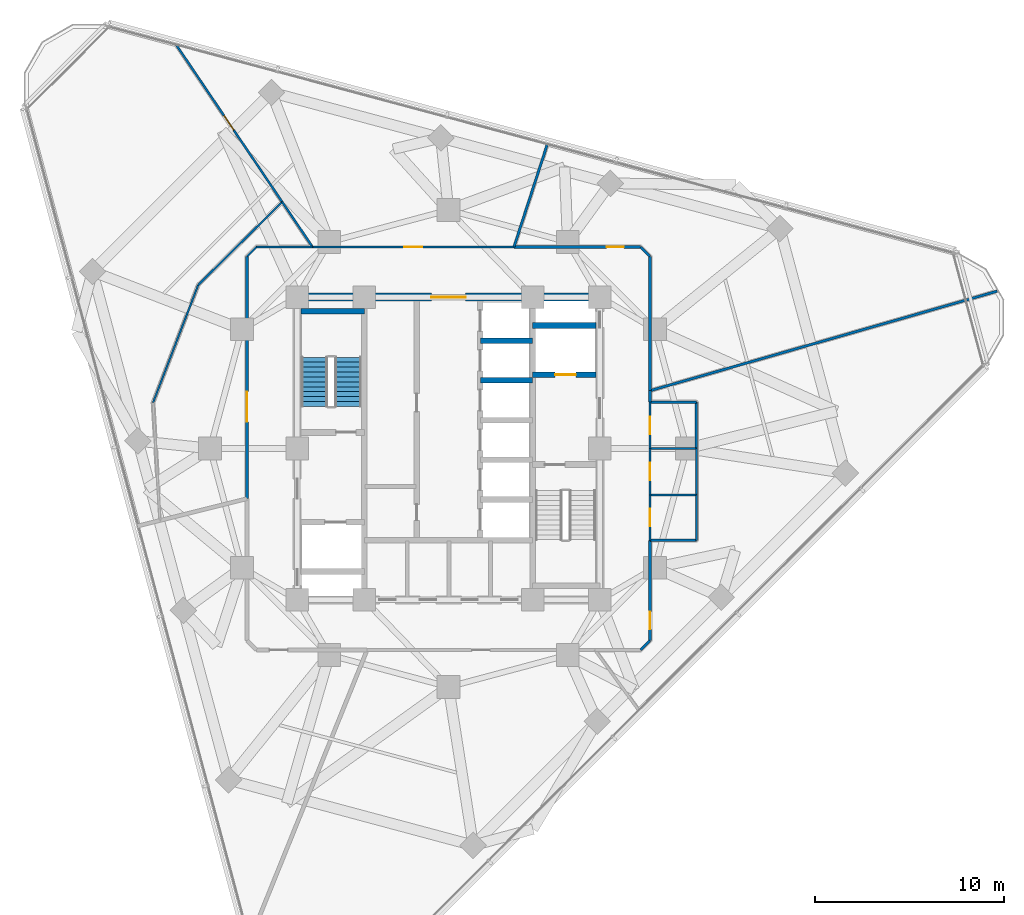
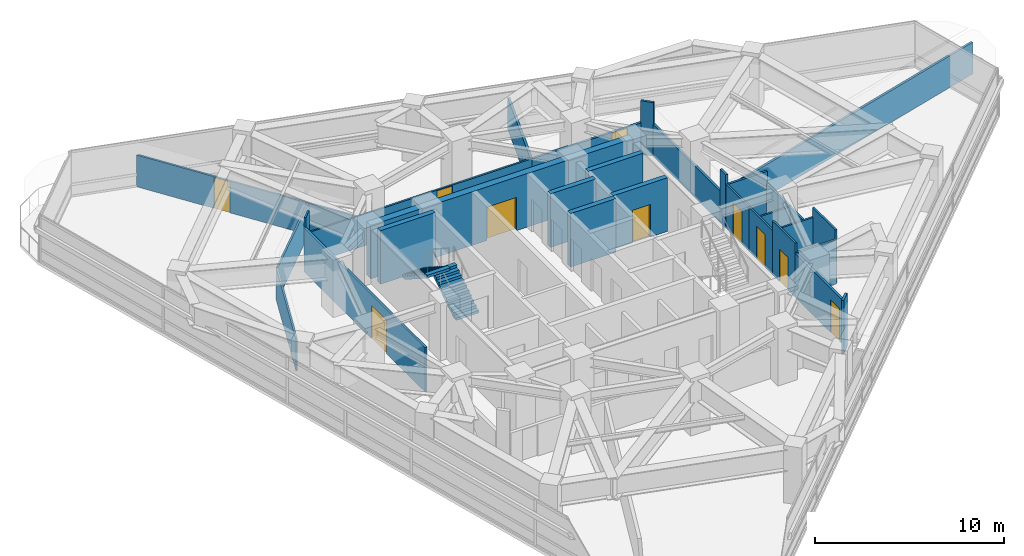
# One storey, part 9 of 15: 32 walls, 10 doors, 2 stair flights, 10 openings, 1 element without a shape of its own.
"""IFC4 building model written with IfcOpenShell, lengths in metres."""

from ifc_helpers import new_model, si_unit, direction, frame, frame_2d, origin, place, context, subcontext, project, spatial, polyline, rectangle, outline, extrude, material, layer, layer_set, type_object, element, fill, aggregate, save


model = new_model("IFC4")

# Units and contexts
model_context = context("Model", 3, precision=1e-05, world=origin(), true_north=direction((0.0, 1.0)))
body_context = subcontext(model_context, "Body", "Model", "MODEL_VIEW")
ifc_project = project(units=[si_unit("LENGTHUNIT", "METRE"), si_unit("AREAUNIT", "SQUARE_METRE"), si_unit("VOLUMEUNIT", "CUBIC_METRE"), si_unit("PLANEANGLEUNIT", "RADIAN"), si_unit("MASSUNIT", "GRAM", prefix="KILO")], contexts=[model_context])

# Site, building, storey
site_placement = place(None, origin())
site = spatial("IfcSite", under=ifc_project, at=site_placement, CompositionType="ELEMENT")
building_placement = place(site_placement, origin())
building = spatial("IfcBuilding", under=site, at=building_placement, Name="Terralouvre Media Tower", CompositionType="ELEMENT")
storey_placement = place(building_placement, frame((0.0, 0.0, 210.10009765625)))
storey = spatial("IfcBuildingStorey", under=building, at=storey_placement, Name="L54", CompositionType="ELEMENT", Elevation=210.10009765625)

# Wall
ifc_material_1 = material(Name="Concrete C50/60", Category="concrete")
ifc_layer_1 = layer(ifc_material_1, 0.300048828125, Name="Core Internal Shaft Wall CW-300")
ifc_layer_set_1 = layer_set([ifc_layer_1], Name="Concrete C50/60")
wall_type_1 = type_object("IfcWallType", Name="Core Internal Shaft Wall CW-300", PredefinedType="SHEAR", material=ifc_layer_set_1)
wall_1_placement = place(storey_placement, frame((-7.7900390625, 7.260009765625, 0.0), z_axis=(0.0, 0.0, 1.0), x_axis=(1.0, 0.0, 0.0)))
element("IfcWall", 1, at=wall_1_placement, inside=storey, type_object=wall_type_1, Name="L54 Core Shaft Wall ST1F", PredefinedType="SHEAR", context=body_context, shape_type="SweptSolid", body=[
    extrude(rectangle(XDim=3.340087890625, YDim=0.300048828125, at=frame_2d((1.669921875, 0.0))), origin(), (0.0, 0.0, 1.0), 3.4599609375),
])

# Wall, opening, door
wall_2_placement = place(storey_placement, frame((4.449951171875, 3.89990234375, 0.0), z_axis=(0.0, 0.0, 1.0), x_axis=(1.0, 0.0, 0.0)))
wall_2 = element("IfcWall", 2, at=wall_2_placement, inside=storey, type_object=wall_type_1, Name="L54 Core Shaft Wall FF2S", PredefinedType="SHEAR", context=body_context, shape_type="SweptSolid", body=[
    extrude(rectangle(XDim=3.340087890625, YDim=0.300048828125, at=frame_2d((1.669921875, 0.0))), origin(), (0.0, 0.0, 1.0), 3.4599609375),
])
opening_1_placement = place(wall_2_placement, frame((1.179931640625, 0.0, 0.0)))
opening_1 = element("IfcOpeningElement", 3, at=opening_1_placement, cuts=wall_2, Name="Opening LD-FF", PredefinedType="OPENING", context=body_context, shape_type="SweptSolid", body=[
    extrude(rectangle(XDim=1.10009765625, YDim=2.10009765625, at=frame_2d((0.550048828125, 1.050048828125))), frame((0.0, 0.159912109375, 0.0), z_axis=(0.0, -1.0, 0.0), x_axis=(1.0, 0.0, 0.0)), (0.0, 0.0, 1.0), 0.320068359375),
])
ifc_material_2 = material(Name="Stainless steel 316 handrail and balustrade", Category="steel")
door_type_1 = type_object("IfcDoorType", Name="Firefighting Lift Sliding Landing Door LD-FF", OperationType="SLIDING_TO_LEFT", PredefinedType="DOOR", material=ifc_material_2)
door_1_placement = place(opening_1_placement, origin())
door_1 = element("IfcDoor", 4, at=door_1_placement, inside=storey, type_object=door_type_1, Name="L54 Firefighting Lift FFL-02 Landing Door", OperationType="SLIDING_TO_LEFT", OverallHeight=2.10009765625, OverallWidth=1.10009765625, PredefinedType="DOOR", context=body_context, shape_type="SweptSolid", body=[
    extrude(rectangle(XDim=1.10009765625, YDim=2.10009765625, at=frame_2d((0.550048828125, 1.050048828125))), frame((0.0, 0.02490234375, 0.0), z_axis=(0.0, -1.0, 0.0), x_axis=(1.0, 0.0, 0.0)), (0.0, 0.0, 1.0), 0.050048828125),
])
fill(opening_1, door_1)

# Walls
wall_3_placement = place(storey_placement, frame((4.449951171875, 6.5, 0.0), z_axis=(0.0, 0.0, 1.0), x_axis=(1.0, 0.0, 0.0)))
element("IfcWall", 5, at=wall_3_placement, inside=storey, type_object=wall_type_1, Name="L54 Core Shaft Wall FF2N", PredefinedType="SHEAR", context=body_context, shape_type="SweptSolid", body=[
    extrude(rectangle(XDim=3.340087890625, YDim=0.300048828125, at=frame_2d((1.669921875, 0.0))), origin(), (0.0, 0.0, 1.0), 3.4599609375),
])
for number, where, z_axis, x_axis, name in (
    (6, (1.679931640625, 3.60009765625, 0.0), (0.0, 0.0, 1.0), (1.0, 0.0, 0.0), "L54 Core Shaft Wall PLMD1"),
    (7, (1.679931640625, 5.699951171875, 0.0), (0.0, 0.0, 1.0), (1.0, 0.0, 0.0), "L54 Core Shaft Wall PLMD2"),
):
    element("IfcWall", number, at=place(storey_placement, frame(where, z_axis=z_axis, x_axis=x_axis)), inside=storey, type_object=wall_type_1, Name=name, PredefinedType="SHEAR", context=body_context, shape_type="SweptSolid", body=[
        extrude(rectangle(XDim=2.77001953125, YDim=0.300048828125, at=frame_2d((1.385009765625, 0.0))), origin(), (0.0, 0.0, 1.0), 3.4599609375),
    ])

# Wall, opening, door
ifc_material_3 = material(Name="Concrete C60/75", Category="concrete")
ifc_layer_2 = layer(ifc_material_3, 0.419921875, Name="Core Reinforced Concrete Shear Wall CW-420")
ifc_layer_set_2 = layer_set([ifc_layer_2], Name="Concrete C60/75")
wall_type_2 = type_object("IfcWallType", Name="Core Reinforced Concrete Shear Wall CW-420", PredefinedType="SHEAR", material=ifc_layer_set_2)
wall_4_placement = place(storey_placement, frame((-8.0, 8.0, 0.0), z_axis=(0.0, 0.0, 1.0), x_axis=(1.0, 0.0, 0.0)))
wall_4 = element("IfcWall", 8, at=wall_4_placement, inside=storey, type_object=wall_type_2, Name="L54 N Core Shear Wall", PredefinedType="SHEAR", context=body_context, shape_type="SweptSolid", body=[
    extrude(rectangle(XDim=16.0, YDim=0.419921875, at=frame_2d((8.0, 0.0))), origin(), (0.0, 0.0, 1.0), 3.4599609375),
])
opening_2_placement = place(wall_4_placement, frame((7.10009765625, 0.0, 0.0)))
opening_2 = element("IfcOpeningElement", 9, at=opening_2_placement, cuts=wall_4, Name="Opening FD-03", PredefinedType="OPENING", context=body_context, shape_type="SweptSolid", body=[
    extrude(rectangle(XDim=1.800048828125, YDim=2.14990234375, at=frame_2d((0.89990234375, 1.074951171875))), frame((0.0, 0.219970703125, 0.0), z_axis=(0.0, -1.0, 0.0), x_axis=(1.0, 0.0, 0.0)), (0.0, 0.0, 1.0), 0.43994140625),
])
ifc_material_4 = material(Name="Galvanised steel fire-resisting leaf", Category="steel")
door_type_2 = type_object("IfcDoorType", Name="Corridor Smoke-Control Double Door FD-03", OperationType="DOUBLE_DOOR_SINGLE_SWING", PredefinedType="DOOR", material=ifc_material_4)
door_2_placement = place(opening_2_placement, origin())
door_2 = element("IfcDoor", 10, at=door_2_placement, inside=storey, type_object=door_type_2, Name="L54 Central Lift Lobby Portal Door", OperationType="DOUBLE_DOOR_SINGLE_SWING", OverallHeight=2.14990234375, OverallWidth=1.800048828125, PredefinedType="DOOR", context=body_context, shape_type="SweptSolid", body=[
    extrude(rectangle(XDim=1.800048828125, YDim=2.14990234375, at=frame_2d((0.89990234375, 1.074951171875))), frame((0.0, 0.02490234375, 0.0), z_axis=(0.0, -1.0, 0.0), x_axis=(1.0, 0.0, 0.0)), (0.0, 0.0, 1.0), 0.050048828125),
])
fill(opening_2, door_2)

# Walls
ifc_material_5 = material(Name="Low-iron laminated double glazing with solar-control coating", Category="glass")
ifc_layer_3 = layer(ifc_material_5, 0.10009765625, Name="Demountable Glazed Office Partition PT-GL100")
ifc_layer_set_3 = layer_set([ifc_layer_3], Name="Low-iron laminated double glazing with solar-control coating")
wall_type_3 = type_object("IfcWallType", Name="Demountable Glazed Office Partition PT-GL100", PredefinedType="MOVABLE", material=ifc_layer_set_3)
wall_5_placement = place(storey_placement, frame((-7.18408203125, 10.64990234375, 0.0), z_axis=(0.0, 0.0, 1.0), x_axis=(-1.0, 0.0, 0.0)))
element("IfcWall", 11, at=wall_5_placement, inside=storey, type_object=wall_type_3, Name="L54 Interior Partition 016", PredefinedType="MOVABLE", context=body_context, shape_type="SweptSolid", body=[
    extrude(rectangle(XDim=2.9658203125, YDim=0.10009765625, at=frame_2d((1.48291015625, 0.0))), origin(), (0.0, 0.0, 1.0), 2.044921875),
])
wall_6_placement = place(storey_placement, frame((-10.14990234375, 10.64990234375, 0.0), z_axis=(0.0, 0.0, 1.0), x_axis=(-0.707106781187, -0.707106781187, 0.0)))
element("IfcWall", 12, at=wall_6_placement, inside=storey, type_object=wall_type_3, Name="L54 Interior Partition 017", PredefinedType="MOVABLE", context=body_context, shape_type="SweptSolid", body=[
    extrude(rectangle(XDim=0.70703125, YDim=0.10009765625, at=frame_2d((0.353515625, 0.0))), origin(), (0.0, 0.0, 1.0), 3.4599609375),
])
wall_7_placement = place(storey_placement, frame((-15.613037109375, 2.426025390625, 0.0), z_axis=(0.0, 0.0, 1.0), x_axis=(0.358379670906, 0.933575927004, 0.0)))
element("IfcWall", 13, at=wall_7_placement, inside=storey, type_object=wall_type_3, Name="L54 Interior Partition 035", PredefinedType="MOVABLE", context=body_context, shape_type="SweptSolid", body=[
    extrude(rectangle(XDim=6.660400390625, YDim=0.10009765625, at=frame_2d((3.330078125, 0.0))), origin(), (0.0, 0.0, 1.0), 2.044921875),
])
wall_8_placement = place(storey_placement, frame((-13.22607421875, 8.64404296875, 0.0), z_axis=(0.0, 0.0, 1.0), x_axis=(0.711184246493, 0.703005666791, 0.0)))
element("IfcWall", 14, at=wall_8_placement, inside=storey, type_object=wall_type_3, Name="L54 Interior Partition 036", PredefinedType="MOVABLE", context=body_context, shape_type="SweptSolid", body=[
    extrude(rectangle(XDim=6.239013671875, YDim=0.10009765625, at=frame_2d((3.11962890625, 0.0))), origin(), (0.0, 0.0, 1.0), 2.044921875),
])
ifc_material_6 = material(Name="Fire-rated gypsum board drywall partition")
ifc_layer_4 = layer(ifc_material_6, 0.135009765625, Name="Newsroom Acoustic Partition PT-135")
ifc_layer_set_4 = layer_set([ifc_layer_4], Name="Fire-rated gypsum board drywall partition")
wall_type_4 = type_object("IfcWallType", Name="Newsroom Acoustic Partition PT-135", PredefinedType="PARTITIONING", material=ifc_layer_set_4)
wall_9_placement = place(storey_placement, frame((10.14990234375, -10.64990234375, 0.0), z_axis=(0.0, 0.0, 1.0), x_axis=(0.707106781187, 0.707106781187, 0.0)))
element("IfcWall", 15, at=wall_9_placement, inside=storey, type_object=wall_type_4, Name="L54 Interior Partition 008", PredefinedType="PARTITIONING", context=body_context, shape_type="SweptSolid", body=[
    extrude(rectangle(XDim=0.70703125, YDim=0.135009765625, at=frame_2d((0.353515625, 0.0))), origin(), (0.0, 0.0, 1.0), 3.4599609375),
])

# Wall, opening, door
wall_10_placement = place(storey_placement, frame((10.64990234375, -10.14990234375, 0.0), z_axis=(0.0, 0.0, 1.0), x_axis=(0.0, 1.0, 0.0)))
wall_10 = element("IfcWall", 16, at=wall_10_placement, inside=storey, type_object=wall_type_4, Name="L54 Interior Partition 009", PredefinedType="PARTITIONING", context=body_context, shape_type="SweptSolid", body=[
    extrude(rectangle(XDim=5.2998046875, YDim=0.135009765625, at=frame_2d((2.64990234375, 0.0))), origin(), (0.0, 0.0, 1.0), 2.844970703125),
])
opening_3_placement = place(wall_10_placement, frame((0.5849609375, 0.0, 0.0)))
opening_3 = element("IfcOpeningElement", 17, at=opening_3_placement, cuts=wall_10, Name="Opening ID-02-95X210", PredefinedType="OPENING", context=body_context, shape_type="SweptSolid", body=[
    extrude(rectangle(XDim=0.949951171875, YDim=2.10009765625, at=frame_2d((0.47509765625, 1.050048828125))), frame((0.0, 0.077392578125, 0.0), z_axis=(0.0, -1.0, 0.0), x_axis=(1.0, 0.0, 0.0)), (0.0, 0.0, 1.0), 0.155029296875),
])
ifc_material_7 = material(Name="Engineered hardwood acoustic timber leaf", Category="wood")
door_type_3 = type_object("IfcDoorType", Name="Office and Meeting Room Door ID-02 (950x2100)", OperationType="NOTDEFINED", PredefinedType="DOOR", material=ifc_material_7)
door_3_placement = place(opening_3_placement, origin())
door_3 = element("IfcDoor", 18, at=door_3_placement, inside=storey, type_object=door_type_3, Name="L54 International Press Club Lounge 3 Door", OperationType="SINGLE_SWING_RIGHT", OverallHeight=2.10009765625, OverallWidth=0.949951171875, PredefinedType="DOOR", context=body_context, shape_type="SweptSolid", body=[
    extrude(rectangle(XDim=0.949951171875, YDim=2.10009765625, at=frame_2d((0.47509765625, 1.050048828125))), frame((0.0, 0.02490234375, 0.0), z_axis=(0.0, -1.0, 0.0), x_axis=(1.0, 0.0, 0.0)), (0.0, 0.0, 1.0), 0.050048828125),
])
fill(opening_3, door_3)

# Walls
wall_11_placement = place(storey_placement, frame((10.64990234375, 2.449951171875, 0.0), z_axis=(0.0, 0.0, 1.0), x_axis=(0.0, 1.0, 0.0)))
element("IfcWall", 19, at=wall_11_placement, inside=storey, type_object=wall_type_4, Name="L54 Interior Partition 010", PredefinedType="PARTITIONING", context=body_context, shape_type="SweptSolid", body=[
    extrude(rectangle(XDim=0.60400390625, YDim=0.135009765625, at=frame_2d((0.302001953125, 0.0))), origin(), (0.0, 0.0, 1.0), 3.4599609375),
])
wall_12_placement = place(storey_placement, frame((10.64990234375, 3.053955078125, 0.0), z_axis=(0.0, 0.0, 1.0), x_axis=(0.0, 1.0, 0.0)))
element("IfcWall", 20, at=wall_12_placement, inside=storey, type_object=wall_type_4, Name="L54 Interior Partition 012", PredefinedType="PARTITIONING", context=body_context, shape_type="SweptSolid", body=[
    extrude(rectangle(XDim=7.095947265625, YDim=0.135009765625, at=frame_2d((3.5478515625, 0.0))), origin(), (0.0, 0.0, 1.0), 2.044921875),
])
wall_13_placement = place(storey_placement, frame((10.64990234375, 10.14990234375, 0.0), z_axis=(0.0, 0.0, 1.0), x_axis=(-0.707106781187, 0.707106781187, 0.0)))
element("IfcWall", 21, at=wall_13_placement, inside=storey, type_object=wall_type_4, Name="L54 Interior Partition 013", PredefinedType="PARTITIONING", context=body_context, shape_type="SweptSolid", body=[
    extrude(rectangle(XDim=0.70703125, YDim=0.135009765625, at=frame_2d((0.353515625, 0.0))), origin(), (0.0, 0.0, 1.0), 3.4599609375),
])

# Wall, opening, door
wall_14_placement = place(storey_placement, frame((10.14990234375, 10.64990234375, 0.0), z_axis=(0.0, 0.0, 1.0), x_axis=(-1.0, 0.0, 0.0)))
wall_14 = element("IfcWall", 22, at=wall_14_placement, inside=storey, type_object=wall_type_4, Name="L54 Interior Partition 014", PredefinedType="PARTITIONING", context=body_context, shape_type="SweptSolid", body=[
    extrude(rectangle(XDim=6.68994140625, YDim=0.135009765625, at=frame_2d((3.344970703125, 0.0))), origin(), (0.0, 0.0, 1.0), 2.044921875),
])
opening_4_placement = place(wall_14_placement, frame((0.8779296875, 0.0, 0.0)))
opening_4 = element("IfcOpeningElement", 23, at=opening_4_placement, cuts=wall_14, Name="Opening ID-03", PredefinedType="OPENING", context=body_context, shape_type="SweptSolid", body=[
    extrude(rectangle(XDim=0.919921875, YDim=2.0, at=frame_2d((0.4599609375, 1.0))), frame((0.0, 0.077392578125, 0.0), z_axis=(0.0, -1.0, 0.0), x_axis=(1.0, 0.0, 0.0)), (0.0, 0.0, 1.0), 0.155029296875),
])
ifc_material_8 = material(Name="Engineered hardwood acoustic timber leaf", Category="wood")
door_type_4 = type_object("IfcDoorType", Name="Accessible Restroom and Suite Door ID-03", OperationType="NOTDEFINED", PredefinedType="DOOR", material=ifc_material_8)
door_4_placement = place(opening_4_placement, origin())
door_4 = element("IfcDoor", 24, at=door_4_placement, inside=storey, type_object=door_type_4, Name="L54 High-Zone Banquet Dining Room 4 Door", OperationType="SINGLE_SWING_RIGHT", OverallHeight=2.0, OverallWidth=0.919921875, PredefinedType="DOOR", context=body_context, shape_type="SweptSolid", body=[
    extrude(rectangle(XDim=0.919921875, YDim=2.0, at=frame_2d((0.4599609375, 1.0))), frame((0.0, 0.02490234375, 0.0), z_axis=(0.0, -1.0, 0.0), x_axis=(1.0, 0.0, 0.0)), (0.0, 0.0, 1.0), 0.050048828125),
])
fill(opening_4, door_4)

wall_15_placement = place(storey_placement, frame((-10.64990234375, 10.14990234375, 0.0), z_axis=(0.0, 0.0, 1.0), x_axis=(0.0, -1.0, 0.0)))
wall_15 = element("IfcWall", 25, at=wall_15_placement, inside=storey, type_object=wall_type_4, Name="L54 Interior Partition 018", PredefinedType="PARTITIONING", context=body_context, shape_type="SweptSolid", body=[
    extrude(rectangle(XDim=12.804931640625, YDim=0.135009765625, at=frame_2d((6.40234375, 0.0))), origin(), (0.0, 0.0, 1.0), 2.844970703125),
])
opening_5_placement = place(wall_15_placement, frame((7.13916015625, 0.0, 0.0)))
opening_5 = element("IfcOpeningElement", 26, at=opening_5_placement, cuts=wall_15, Name="Opening ID-04-160X215", PredefinedType="OPENING", context=body_context, shape_type="SweptSolid", body=[
    extrude(rectangle(XDim=1.60009765625, YDim=2.14990234375, at=frame_2d((0.800048828125, 1.074951171875))), frame((0.0, 0.077392578125, 0.0), z_axis=(0.0, -1.0, 0.0), x_axis=(1.0, 0.0, 0.0)), (0.0, 0.0, 1.0), 0.155029296875),
])
ifc_material_9 = material(Name="Engineered hardwood acoustic timber leaf", Category="wood")
door_type_5 = type_object("IfcDoorType", Name="Conference Double Acoustic Door ID-04 (1600x2150)", OperationType="DOUBLE_DOOR_SINGLE_SWING", PredefinedType="DOOR", material=ifc_material_9)
door_5_placement = place(opening_5_placement, origin())
door_5 = element("IfcDoor", 27, at=door_5_placement, inside=storey, type_object=door_type_5, Name="L54 Diplomatic Briefing Room 7 Door", OperationType="DOUBLE_DOOR_SINGLE_SWING", OverallHeight=2.14990234375, OverallWidth=1.60009765625, PredefinedType="DOOR", context=body_context, shape_type="SweptSolid", body=[
    extrude(rectangle(XDim=1.60009765625, YDim=2.14990234375, at=frame_2d((0.800048828125, 1.074951171875))), frame((0.0, 0.02490234375, 0.0), z_axis=(0.0, -1.0, 0.0), x_axis=(1.0, 0.0, 0.0)), (0.0, 0.0, 1.0), 0.050048828125),
])
fill(opening_5, door_5)

# Walls
wall_16_placement = place(storey_placement, frame((10.64990234375, 2.449951171875, 0.0), z_axis=(0.0, 0.0, 1.0), x_axis=(1.0, 0.0, 0.0)))
element("IfcWall", 28, at=wall_16_placement, inside=storey, type_object=wall_type_4, Name="L54 Interior Partition 028", PredefinedType="PARTITIONING", context=body_context, shape_type="SweptSolid", body=[
    extrude(rectangle(XDim=2.4501953125, YDim=0.135009765625, at=frame_2d((1.22509765625, 0.0))), origin(), (0.0, 0.0, 1.0), 2.844970703125),
])
wall_17_placement = place(storey_placement, frame((13.10009765625, 2.449951171875, 0.0), z_axis=(0.0, 0.0, 1.0), x_axis=(0.0, -1.0, 0.0)))
element("IfcWall", 29, at=wall_17_placement, inside=storey, type_object=wall_type_4, Name="L54 Interior Partition 029", PredefinedType="PARTITIONING", context=body_context, shape_type="SweptSolid", body=[
    extrude(rectangle(XDim=2.449951171875, YDim=0.135009765625, at=frame_2d((1.22509765625, 0.0))), origin(), (0.0, 0.0, 1.0), 2.044921875),
])
wall_18_placement = place(storey_placement, frame((28.997802734375, 8.3154296875, 0.0), z_axis=(0.0, 0.0, 1.0), x_axis=(-0.961257547597, -0.275651822392, 0.0)))
element("IfcWall", 30, at=wall_18_placement, inside=storey, type_object=wall_type_4, Name="L54 Interior Partition 030", PredefinedType="PARTITIONING", context=body_context, shape_type="SweptSolid", body=[
    extrude(rectangle(XDim=19.08740234375, YDim=0.135009765625, at=frame_2d((9.543701171875, 0.0))), origin(), (0.0, 0.0, 1.0), 2.044921875),
])
wall_19_placement = place(storey_placement, frame((5.236328125, 16.116943359375, 0.0), z_axis=(0.0, 0.0, 1.0), x_axis=(-0.30901980801, -0.951055602085, 0.0)))
element("IfcWall", 31, at=wall_19_placement, inside=storey, type_object=wall_type_4, Name="L54 Interior Partition 031", PredefinedType="PARTITIONING", context=body_context, shape_type="SweptSolid", body=[
    extrude(rectangle(XDim=5.748291015625, YDim=0.135009765625, at=frame_2d((2.8740234375, 0.0))), origin(), (0.0, 0.0, 1.0), 2.044921875),
])

# Wall, opening, door
ifc_material_10 = material(Name="Fire-rated gypsum board drywall partition")
ifc_layer_5 = layer(ifc_material_10, 0.114990234375, Name="Restroom and Pantry Partition PT-115")
ifc_layer_set_5 = layer_set([ifc_layer_5], Name="Fire-rated gypsum board drywall partition")
wall_type_5 = type_object("IfcWallType", Name="Restroom and Pantry Partition PT-115", PredefinedType="PARTITIONING", material=ifc_layer_set_5)
wall_20_placement = place(storey_placement, frame((10.64990234375, -4.85009765625, 0.0), z_axis=(0.0, 0.0, 1.0), x_axis=(0.0, 1.0, 0.0)))
wall_20 = element("IfcWall", 32, at=wall_20_placement, inside=storey, type_object=wall_type_5, Name="L54 Interior Partition 005", PredefinedType="PARTITIONING", context=body_context, shape_type="SweptSolid", body=[
    extrude(rectangle(XDim=2.400146484375, YDim=0.114990234375, at=frame_2d((1.2001953125, 0.0))), origin(), (0.0, 0.0, 1.0), 3.4599609375),
])
opening_6_placement = place(wall_20_placement, frame((0.739990234375, 0.0, 0.0)))
opening_6 = element("IfcOpeningElement", 33, at=opening_6_placement, cuts=wall_20, Name="Opening ID-03-92X210", PredefinedType="OPENING", context=body_context, shape_type="SweptSolid", body=[
    extrude(rectangle(XDim=0.919921875, YDim=2.10009765625, at=frame_2d((0.4599609375, 1.050048828125))), frame((0.0, 0.0673828125, 0.0), z_axis=(0.0, -1.0, 0.0), x_axis=(1.0, 0.0, 0.0)), (0.0, 0.0, 1.0), 0.135009765625),
])
ifc_material_11 = material(Name="Engineered hardwood acoustic timber leaf", Category="wood")
door_type_6 = type_object("IfcDoorType", Name="Accessible Restroom and Suite Door ID-03 (920x2100)", OperationType="NOTDEFINED", PredefinedType="DOOR", material=ifc_material_11)
door_6_placement = place(opening_6_placement, origin())
door_6 = element("IfcDoor", 34, at=door_6_placement, inside=storey, type_object=door_type_6, Name="L54 Male Restroom WC Door", OperationType="SINGLE_SWING_RIGHT", OverallHeight=2.10009765625, OverallWidth=0.919921875, PredefinedType="DOOR", context=body_context, shape_type="SweptSolid", body=[
    extrude(rectangle(XDim=0.919921875, YDim=2.10009765625, at=frame_2d((0.4599609375, 1.050048828125))), frame((0.0, 0.02490234375, 0.0), z_axis=(0.0, -1.0, 0.0), x_axis=(1.0, 0.0, 0.0)), (0.0, 0.0, 1.0), 0.050048828125),
])
fill(opening_6, door_6)

wall_21_placement = place(storey_placement, frame((10.64990234375, -2.449951171875, 0.0), z_axis=(0.0, 0.0, 1.0), x_axis=(0.0, 1.0, 0.0)))
wall_21 = element("IfcWall", 35, at=wall_21_placement, inside=storey, type_object=wall_type_5, Name="L54 Interior Partition 006", PredefinedType="PARTITIONING", context=body_context, shape_type="SweptSolid", body=[
    extrude(rectangle(XDim=2.449951171875, YDim=0.114990234375, at=frame_2d((1.22509765625, 0.0))), origin(), (0.0, 0.0, 1.0), 2.844970703125),
])
opening_7_placement = place(wall_21_placement, frame((0.764892578125, 0.0, 0.0)))
opening_7 = element("IfcOpeningElement", 36, at=opening_7_placement, cuts=wall_21, Name="Opening ID-03-92X210", PredefinedType="OPENING", context=body_context, shape_type="SweptSolid", body=[
    extrude(rectangle(XDim=0.919921875, YDim=2.10009765625, at=frame_2d((0.4599609375, 1.050048828125))), frame((0.0, 0.0673828125, 0.0), z_axis=(0.0, -1.0, 0.0), x_axis=(1.0, 0.0, 0.0)), (0.0, 0.0, 1.0), 0.135009765625),
])
door_7_placement = place(opening_7_placement, origin())
door_7 = element("IfcDoor", 37, at=door_7_placement, inside=storey, type_object=door_type_6, Name="L54 Female Restroom WC Door", OperationType="SINGLE_SWING_LEFT", OverallHeight=2.10009765625, OverallWidth=0.919921875, PredefinedType="DOOR", context=body_context, shape_type="SweptSolid", body=[
    extrude(rectangle(XDim=0.919921875, YDim=2.10009765625, at=frame_2d((0.4599609375, 1.050048828125))), frame((0.0, 0.02490234375, 0.0), z_axis=(0.0, -1.0, 0.0), x_axis=(1.0, 0.0, 0.0)), (0.0, 0.0, 1.0), 0.050048828125),
])
fill(opening_7, door_7)

wall_22_placement = place(storey_placement, frame((10.64990234375, 0.0, 0.0), z_axis=(0.0, 0.0, 1.0), x_axis=(0.0, 1.0, 0.0)))
wall_22 = element("IfcWall", 38, at=wall_22_placement, inside=storey, type_object=wall_type_5, Name="L54 Interior Partition 011", PredefinedType="PARTITIONING", context=body_context, shape_type="SweptSolid", body=[
    extrude(rectangle(XDim=2.449951171875, YDim=0.114990234375, at=frame_2d((1.22509765625, 0.0))), origin(), (0.0, 0.0, 1.0), 2.844970703125),
])
opening_8_placement = place(wall_22_placement, frame((0.764892578125, 0.0, 0.0)))
opening_8 = element("IfcOpeningElement", 39, at=opening_8_placement, cuts=wall_22, Name="Opening ID-03-92X210", PredefinedType="OPENING", context=body_context, shape_type="SweptSolid", body=[
    extrude(rectangle(XDim=0.919921875, YDim=2.10009765625, at=frame_2d((0.4599609375, 1.050048828125))), frame((0.0, 0.0673828125, 0.0), z_axis=(0.0, -1.0, 0.0), x_axis=(1.0, 0.0, 0.0)), (0.0, 0.0, 1.0), 0.135009765625),
])
door_8_placement = place(opening_8_placement, origin())
door_8 = element("IfcDoor", 40, at=door_8_placement, inside=storey, type_object=door_type_6, Name="L54 Accessible Unisex WC Door", OperationType="SINGLE_SWING_LEFT", OverallHeight=2.10009765625, OverallWidth=0.919921875, PredefinedType="DOOR", context=body_context, shape_type="SweptSolid", body=[
    extrude(rectangle(XDim=0.919921875, YDim=2.10009765625, at=frame_2d((0.4599609375, 1.050048828125))), frame((0.0, 0.02490234375, 0.0), z_axis=(0.0, -1.0, 0.0), x_axis=(1.0, 0.0, 0.0)), (0.0, 0.0, 1.0), 0.050048828125),
])
fill(opening_8, door_8)

wall_23_placement = place(storey_placement, frame((3.4599609375, 10.64990234375, 0.0), z_axis=(0.0, 0.0, 1.0), x_axis=(-1.0, 0.0, 0.0)))
wall_23 = element("IfcWall", 41, at=wall_23_placement, inside=storey, type_object=wall_type_5, Name="L54 Interior Partition 015", PredefinedType="PARTITIONING", context=body_context, shape_type="SweptSolid", body=[
    extrude(rectangle(XDim=10.64404296875, YDim=0.114990234375, at=frame_2d((5.322021484375, 0.0))), origin(), (0.0, 0.0, 1.0), 2.044921875),
])
opening_9_placement = place(wall_23_placement, frame((4.846923828125, 0.0, 0.0)))
opening_9 = element("IfcOpeningElement", 42, at=opening_9_placement, cuts=wall_23, Name="Opening SD-01", PredefinedType="OPENING", context=body_context, shape_type="SweptSolid", body=[
    extrude(rectangle(XDim=0.949951171875, YDim=2.0, at=frame_2d((0.47509765625, 1.0))), frame((0.0, 0.0673828125, 0.0), z_axis=(0.0, -1.0, 0.0), x_axis=(1.0, 0.0, 0.0)), (0.0, 0.0, 1.0), 0.135009765625),
])
ifc_material_12 = material(Name="Anodised extruded aluminium 6063-T6", Category="aluminium")
door_type_7 = type_object("IfcDoorType", Name="Pantry Pocket Sliding Door SD-01", OperationType="SLIDING_TO_LEFT", PredefinedType="DOOR", material=ifc_material_12)
door_9_placement = place(opening_9_placement, origin())
door_9 = element("IfcDoor", 43, at=door_9_placement, inside=storey, type_object=door_type_7, Name="L54 Sky Bistro Catering Kitchen 5 Door", OperationType="SLIDING_TO_LEFT", OverallHeight=2.0, OverallWidth=0.949951171875, PredefinedType="DOOR", context=body_context, shape_type="SweptSolid", body=[
    extrude(rectangle(XDim=0.949951171875, YDim=2.0, at=frame_2d((0.47509765625, 1.0))), frame((0.0, 0.02490234375, 0.0), z_axis=(0.0, -1.0, 0.0), x_axis=(1.0, 0.0, 0.0)), (0.0, 0.0, 1.0), 0.050048828125),
])
fill(opening_9, door_9)

# Walls
for number, where, z_axis, x_axis, name in (
    (44, (13.10009765625, -2.449951171875, 0.0), (0.0, 0.0, 1.0), (-1.0, 0.0, 0.0), "L54 Interior Partition 023"),
    (45, (10.64990234375, -4.85009765625, 0.0), (0.0, 0.0, 1.0), (1.0, 0.0, 0.0), "L54 Interior Partition 024"),
):
    element("IfcWall", number, at=place(storey_placement, frame(where, z_axis=z_axis, x_axis=x_axis)), inside=storey, type_object=wall_type_5, Name=name, PredefinedType="PARTITIONING", context=body_context, shape_type="SweptSolid", body=[
        extrude(rectangle(XDim=2.4501953125, YDim=0.114990234375, at=frame_2d((1.22509765625, 0.0))), origin(), (0.0, 0.0, 1.0), 2.844970703125),
    ])
wall_24_placement = place(storey_placement, frame((13.10009765625, -4.85009765625, 0.0), z_axis=(0.0, 0.0, 1.0), x_axis=(0.0, 1.0, 0.0)))
element("IfcWall", 46, at=wall_24_placement, inside=storey, type_object=wall_type_5, Name="L54 Interior Partition 025", PredefinedType="PARTITIONING", context=body_context, shape_type="SweptSolid", body=[
    extrude(rectangle(XDim=2.400146484375, YDim=0.114990234375, at=frame_2d((1.2001953125, 0.0))), origin(), (0.0, 0.0, 1.0), 3.4599609375),
])
wall_25_placement = place(storey_placement, frame((13.10009765625, -2.449951171875, 0.0), z_axis=(0.0, 0.0, 1.0), x_axis=(0.0, 1.0, 0.0)))
element("IfcWall", 47, at=wall_25_placement, inside=storey, type_object=wall_type_5, Name="L54 Interior Partition 026", PredefinedType="PARTITIONING", context=body_context, shape_type="SweptSolid", body=[
    extrude(rectangle(XDim=2.449951171875, YDim=0.114990234375, at=frame_2d((1.22509765625, 0.0))), origin(), (0.0, 0.0, 1.0), 2.044921875),
])
wall_26_placement = place(storey_placement, frame((13.10009765625, 0.0, 0.0), z_axis=(0.0, 0.0, 1.0), x_axis=(-1.0, 0.0, 0.0)))
element("IfcWall", 48, at=wall_26_placement, inside=storey, type_object=wall_type_5, Name="L54 Interior Partition 027", PredefinedType="PARTITIONING", context=body_context, shape_type="SweptSolid", body=[
    extrude(rectangle(XDim=2.4501953125, YDim=0.114990234375, at=frame_2d((1.22509765625, 0.0))), origin(), (0.0, 0.0, 1.0), 2.044921875),
])

# Wall, opening, door
wall_27_placement = place(storey_placement, frame((-14.42431640625, 21.385009765625, 0.0), z_axis=(0.0, 0.0, 1.0), x_axis=(0.559175745777, -0.829049145307, 0.0)))
wall_27 = element("IfcWall", 49, at=wall_27_placement, inside=storey, type_object=wall_type_5, Name="L54 Interior Partition 032", PredefinedType="PARTITIONING", context=body_context, shape_type="SweptSolid", body=[
    extrude(rectangle(XDim=10.077880859375, YDim=0.114990234375, at=frame_2d((5.0390625, 0.0))), origin(), (0.0, 0.0, 1.0), 2.044921875),
])
opening_10_placement = place(wall_27_placement, frame((4.578857421875, 0.0, 0.0)))
opening_10 = element("IfcOpeningElement", 50, at=opening_10_placement, cuts=wall_27, Name="Opening ID-03", PredefinedType="OPENING", context=body_context, shape_type="SweptSolid", body=[
    extrude(rectangle(XDim=0.919921875, YDim=2.0, at=frame_2d((0.4599609375, 1.0))), frame((0.0, 0.0673828125, 0.0), z_axis=(0.0, -1.0, 0.0), x_axis=(1.0, 0.0, 0.0)), (0.0, 0.0, 1.0), 0.135009765625),
])
door_10_placement = place(opening_10_placement, origin())
door_10 = element("IfcDoor", 51, at=door_10_placement, inside=storey, type_object=door_type_4, Name="L54 Global Summit Boardroom 6 Door", OperationType="SINGLE_SWING_LEFT", OverallHeight=2.0, OverallWidth=0.919921875, PredefinedType="DOOR", context=body_context, shape_type="SweptSolid", body=[
    extrude(rectangle(XDim=0.919921875, YDim=2.0, at=frame_2d((0.4599609375, 1.0))), frame((0.0, 0.02490234375, 0.0), z_axis=(0.0, -1.0, 0.0), x_axis=(1.0, 0.0, 0.0)), (0.0, 0.0, 1.0), 0.050048828125),
])
fill(opening_10, door_10)

# Wall
wall_28_placement = place(storey_placement, frame((-8.7890625, 13.030029296875, 0.0), z_axis=(0.0, 0.0, 1.0), x_axis=(0.559088648107, -0.829107884149, 0.0)))
element("IfcWall", 52, at=wall_28_placement, inside=storey, type_object=wall_type_5, Name="L54 Interior Partition 033", PredefinedType="PARTITIONING", context=body_context, shape_type="SweptSolid", body=[
    extrude(rectangle(XDim=2.87060546875, YDim=0.114990234375, at=frame_2d((1.435302734375, 0.0))), origin(), (0.0, 0.0, 1.0), 2.044921875),
])

# Stair, stair flights
ifc_material_13 = material(Name="Concrete C45/55", Category="concrete")
stair_type = type_object("IfcStairType", Name="Dogleg Stair Assembly ST-01", PredefinedType="HALF_TURN_STAIR", material=ifc_material_13)
stair_placement = place(storey_placement, origin())
stair = element("IfcStair", 53, at=stair_placement, inside=storey, type_object=stair_type, Name="L54 Core Pressurised Exit Stair ST-01", PredefinedType="HALF_TURN_STAIR")
ifc_material_14 = material(Name="Concrete C45/55", Category="concrete")
stair_flight_type = type_object("IfcStairFlightType", Name="Reinforced Concrete Stair Flight SF-RC1", PredefinedType="STRAIGHT", material=ifc_material_14)
stair_flight_1_placement = place(storey_placement, frame((-5.300048828125, 2.219970703125, 0.0), z_axis=(0.0, 0.0, 1.0), x_axis=(0.0, 1.0, 0.0)))
stair_flight_1 = element("IfcStairFlight", 54, at=stair_flight_1_placement, type_object=stair_flight_type, Name="ST-01 flight 1", NumberOfRisers=11, NumberOfTreads=10, PredefinedType="STRAIGHT", RiserHeight=0.168181818, TreadLength=0.26, context=body_context, shape_type="SweptSolid", body=[
    extrude(outline(polyline([(0.0, 0.0), (0.0, 0.168212890625), (0.260009765625, 0.168212890625), (0.260009765625, 0.33642578125), (0.52001953125, 0.33642578125), (0.52001953125, 0.504638671875), (0.780029296875, 0.504638671875), (0.780029296875, 0.672607421875), (1.0400390625, 0.672607421875), (1.0400390625, 0.8408203125), (1.300048828125, 0.8408203125), (1.300048828125, 1.009033203125), (1.56005859375, 1.009033203125), (1.56005859375, 1.17724609375), (1.820068359375, 1.17724609375), (1.820068359375, 1.345458984375), (2.080078125, 1.345458984375), (2.080078125, 1.513671875), (2.340087890625, 1.513671875), (2.340087890625, 1.681884765625), (2.60009765625, 1.681884765625), (2.60009765625, 1.85009765625), (2.60009765625, 1.503173828125), (0.27587890625, 0.0), (0.0, 0.0)])), frame((0.0, 0.699951171875, 0.0), z_axis=(0.0, -1.0, 0.0), x_axis=(1.0, 0.0, 0.0)), (0.0, 0.0, 1.0), 1.39990234375),
])
stair_flight_2_placement = place(storey_placement, frame((-7.080078125, 4.820068359375, 1.849853515625), z_axis=(0.0, 0.0, 1.0), x_axis=(0.0, -1.0, 0.0)))
stair_flight_2 = element("IfcStairFlight", 55, at=stair_flight_2_placement, type_object=stair_flight_type, Name="ST-01 flight 2", NumberOfRisers=11, NumberOfTreads=10, PredefinedType="STRAIGHT", RiserHeight=0.168181818, TreadLength=0.26, context=body_context, shape_type="SweptSolid", body=[
    extrude(outline(polyline([(0.0, 0.0), (0.0, 0.168212890625), (0.260009765625, 0.168212890625), (0.260009765625, 0.33642578125), (0.52001953125, 0.33642578125), (0.52001953125, 0.504638671875), (0.780029296875, 0.504638671875), (0.780029296875, 0.672607421875), (1.0400390625, 0.672607421875), (1.0400390625, 0.8408203125), (1.300048828125, 0.8408203125), (1.300048828125, 1.009033203125), (1.56005859375, 1.009033203125), (1.56005859375, 1.17724609375), (1.820068359375, 1.17724609375), (1.820068359375, 1.345458984375), (2.080078125, 1.345458984375), (2.080078125, 1.513671875), (2.340087890625, 1.513671875), (2.340087890625, 1.681884765625), (2.60009765625, 1.681884765625), (2.60009765625, 1.85009765625), (2.60009765625, 1.503173828125), (0.27587890625, 0.0), (0.0, 0.0)])), frame((0.0, 0.699951171875, 0.0), z_axis=(0.0, -1.0, 0.0), x_axis=(1.0, 0.0, 0.0)), (0.0, 0.0, 1.0), 1.39990234375),
])
aggregate(stair, [stair_flight_1, stair_flight_2])

save(model, "model.ifc")
